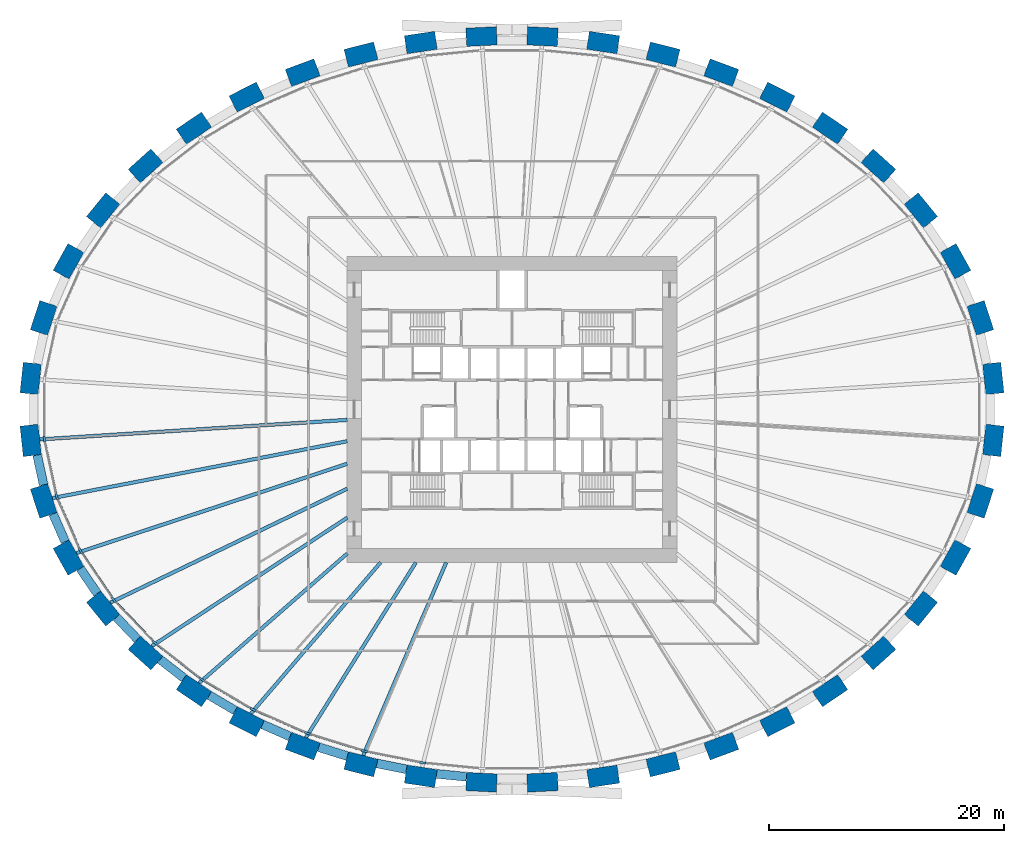
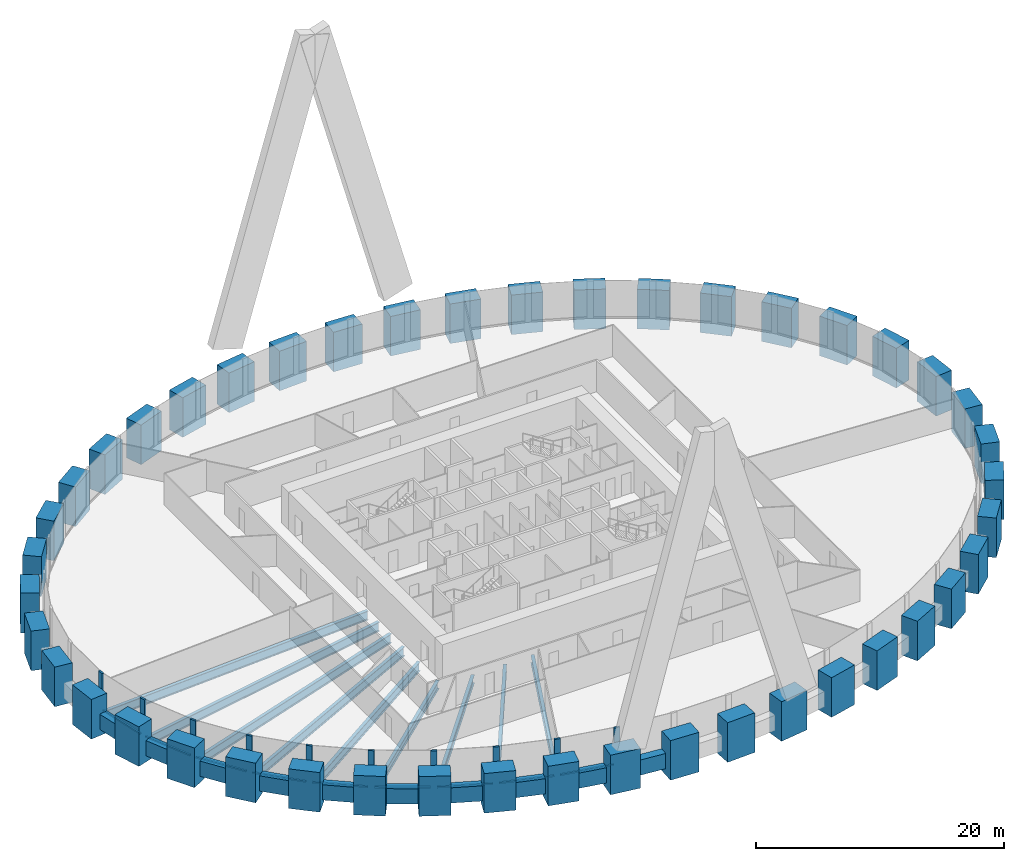
# One storey, part 1 of 10: 44 columns, 19 beams, 19 members, 1 element without a shape of its own.
"""IFC4 building model written with IfcOpenShell, lengths in metres."""

from ifc_helpers import new_model, si_unit, direction, frame, origin, origin_2d, place, context, subcontext, project, spatial, rectangle, i_section, extrude, source, transform, mapped, material, material_profile, profile_set, type_object, element, aggregate, save


model = new_model("IFC4")

# Units and contexts
model_context = context("Model", 3, precision=1e-05, world=origin(), true_north=direction((0.0, 1.0)))
body_context = subcontext(model_context, "Body", "Model", "MODEL_VIEW")
ifc_project = project(units=[si_unit("LENGTHUNIT", "METRE"), si_unit("AREAUNIT", "SQUARE_METRE"), si_unit("VOLUMEUNIT", "CUBIC_METRE"), si_unit("PLANEANGLEUNIT", "RADIAN"), si_unit("MASSUNIT", "GRAM", prefix="KILO")], contexts=[model_context])

# Site, building, storey
site_placement = place(None, origin())
site = spatial("IfcSite", under=ifc_project, at=site_placement, CompositionType="ELEMENT")
building_placement = place(site_placement, origin())
building = spatial("IfcBuilding", under=site, at=building_placement, Name="Embergate Tower", CompositionType="ELEMENT")
storey_placement = place(building_placement, frame((0.0, 0.0, 89.300048828125)))
storey = spatial("IfcBuildingStorey", under=building, at=storey_placement, Name="L18", CompositionType="ELEMENT", Elevation=89.300048828125)

# Columns
ifc_material_1 = material(Name="Concrete C70", Category="concrete")
ifc_material_profile_1 = material_profile(ifc_material_1, rectangle(XDim=1.550048828125, YDim=2.60009765625, at=origin_2d()), Name="RC 1550x2600")
ifc_profile_set_1 = profile_set([ifc_material_profile_1], Name="Concrete C70")
column_type = type_object("IfcColumnType", Name="Ring column RC 1550x2600 C70", PredefinedType="COLUMN", material=ifc_profile_set_1)
shared_shape_1 = source(origin(), body_context, "Body", "SweptSolid", [
    extrude(rectangle(XDim=1.550048828125, YDim=2.60009765625, at=origin_2d()), origin(), (0.0, 0.0, 1.0), 3.900146484375),
])
for number, where, z_axis, x_axis, name in (
    (1, (40.89404296875, 2.632080078125, -1.400146484375), (0.0, 0.0, 1.0), (0.99428589498, 0.106749983816, 0.0), "COL-L18-00"),
    (2, (39.7880859375, 7.77294921875, -1.400146484375), (0.0, 0.0, 1.0), (0.950754033697, 0.309946394413, 0.0), "COL-L18-01"),
    (3, (37.679931640625, 12.580078125, -1.400146484375), (0.0, 0.0, 1.0), (0.873491969053, 0.486838556403, 0.0), "COL-L18-02"),
    (4, (34.736083984375, 16.909912109375, -1.400146484375), (0.0, 0.0, 1.0), (0.775914301615, 0.630838328377, 0.0), "COL-L18-03"),
    (5, (31.132080078125, 20.68896484375, -1.400146484375), (0.0, 0.0, 1.0), (0.669208424634, 0.74307475021, 0.0), "COL-L18-04"),
    (6, (27.02392578125, 23.89501953125, -1.400146484375), (0.0, 0.0, 1.0), (0.560393279442, 0.828226643109, 0.0), "COL-L18-05"),
    (7, (22.541015625, 26.531005859375, -1.400146484375), (0.0, 0.0, 1.0), (0.452994952881, 0.891513080478, 0.0), "COL-L18-06"),
    (8, (17.782958984375, 28.612060546875, -1.400146484375), (0.0, 0.0, 1.0), (0.348343015724, 0.93736713373, 0.0), "COL-L18-07"),
    (9, (12.830078125, 30.154052734375, -1.400146484375), (0.0, 0.0, 1.0), (0.246491603437, 0.969144926951, 0.0), "COL-L18-08"),
    (10, (7.7470703125, 31.174072265625, -1.400146484375), (0.0, 0.0, 1.0), (0.146929011949, 0.989147039346, 0.0), "COL-L18-09"),
    (11, (2.591064453125, 31.680908203125, -1.400146484375), (0.0, 0.0, 1.0), (0.048814904854, 0.998807841912, 0.0), "COL-L18-10"),
    (12, (-2.591064453125, 31.680908203125, -1.400146484375), (0.0, 0.0, 1.0), (-0.048814904854, 0.998807841912, 0.0), "COL-L18-11"),
    (13, (-7.7470703125, 31.174072265625, -1.400146484375), (0.0, 0.0, 1.0), (-0.146929011949, 0.989147039346, 0.0), "COL-L18-12"),
    (14, (-12.830078125, 30.154052734375, -1.400146484375), (0.0, 0.0, 1.0), (-0.246491603437, 0.969144926951, 0.0), "COL-L18-13"),
    (15, (-17.782958984375, 28.612060546875, -1.400146484375), (0.0, 0.0, 1.0), (-0.348343015724, 0.93736713373, 0.0), "COL-L18-14"),
    (16, (-22.541015625, 26.531005859375, -1.400146484375), (0.0, 0.0, 1.0), (-0.452994952881, 0.891513080478, 0.0), "COL-L18-15"),
    (17, (-27.02392578125, 23.89501953125, -1.400146484375), (0.0, 0.0, 1.0), (-0.560393279442, 0.828226643109, 0.0), "COL-L18-16"),
    (18, (-31.132080078125, 20.68896484375, -1.400146484375), (0.0, 0.0, 1.0), (-0.669208424634, 0.74307475021, 0.0), "COL-L18-17"),
    (19, (-34.736083984375, 16.909912109375, -1.400146484375), (0.0, 0.0, 1.0), (-0.775914301615, 0.630838328377, 0.0), "COL-L18-18"),
    (20, (-37.679931640625, 12.580078125, -1.400146484375), (0.0, 0.0, 1.0), (-0.873491969053, 0.486838556403, 0.0), "COL-L18-19"),
    (21, (-39.7880859375, 7.77294921875, -1.400146484375), (0.0, 0.0, 1.0), (-0.950754033697, 0.309946394413, 0.0), "COL-L18-20"),
    (22, (-40.89404296875, 2.632080078125, -1.400146484375), (0.0, 0.0, 1.0), (-0.99428589498, 0.106749983816, 0.0), "COL-L18-21"),
    (23, (-40.89404296875, -2.632080078125, -1.400146484375), (0.0, 0.0, 1.0), (-0.99428589498, -0.106749983816, 0.0), "COL-L18-22"),
    (24, (-39.7880859375, -7.77294921875, -1.400146484375), (0.0, 0.0, 1.0), (-0.950754033697, -0.309946394413, 0.0), "COL-L18-23"),
    (25, (-37.679931640625, -12.580078125, -1.400146484375), (0.0, 0.0, 1.0), (-0.873491969053, -0.486838556403, 0.0), "COL-L18-24"),
    (26, (-34.736083984375, -16.909912109375, -1.400146484375), (0.0, 0.0, 1.0), (-0.775914301615, -0.630838328377, 0.0), "COL-L18-25"),
    (27, (-31.132080078125, -20.68896484375, -1.400146484375), (0.0, 0.0, 1.0), (-0.669208424634, -0.74307475021, 0.0), "COL-L18-26"),
    (28, (-27.02392578125, -23.89501953125, -1.400146484375), (0.0, 0.0, 1.0), (-0.560393279442, -0.828226643109, 0.0), "COL-L18-27"),
    (29, (-22.541015625, -26.531005859375, -1.400146484375), (0.0, 0.0, 1.0), (-0.452994952881, -0.891513080478, 0.0), "COL-L18-28"),
    (30, (-17.782958984375, -28.612060546875, -1.400146484375), (0.0, 0.0, 1.0), (-0.348343015724, -0.93736713373, 0.0), "COL-L18-29"),
    (31, (-12.830078125, -30.154052734375, -1.400146484375), (0.0, 0.0, 1.0), (-0.246491603437, -0.969144926951, 0.0), "COL-L18-30"),
    (32, (-7.7470703125, -31.174072265625, -1.400146484375), (0.0, 0.0, 1.0), (-0.146929011949, -0.989147039346, 0.0), "COL-L18-31"),
    (33, (-2.591064453125, -31.680908203125, -1.400146484375), (0.0, 0.0, 1.0), (-0.048814904854, -0.998807841912, 0.0), "COL-L18-32"),
    (34, (2.591064453125, -31.680908203125, -1.400146484375), (0.0, 0.0, 1.0), (0.048814904854, -0.998807841912, 0.0), "COL-L18-33"),
    (35, (7.7470703125, -31.174072265625, -1.400146484375), (0.0, 0.0, 1.0), (0.146929011949, -0.989147039346, 0.0), "COL-L18-34"),
    (36, (12.830078125, -30.154052734375, -1.400146484375), (0.0, 0.0, 1.0), (0.246491603437, -0.969144926951, 0.0), "COL-L18-35"),
    (37, (17.782958984375, -28.612060546875, -1.400146484375), (0.0, 0.0, 1.0), (0.348343015724, -0.93736713373, 0.0), "COL-L18-36"),
    (38, (22.541015625, -26.531005859375, -1.400146484375), (0.0, 0.0, 1.0), (0.452994952881, -0.891513080478, 0.0), "COL-L18-37"),
    (39, (27.02392578125, -23.89501953125, -1.400146484375), (0.0, 0.0, 1.0), (0.560393279442, -0.828226643109, 0.0), "COL-L18-38"),
    (40, (31.132080078125, -20.68896484375, -1.400146484375), (0.0, 0.0, 1.0), (0.669208424634, -0.74307475021, 0.0), "COL-L18-39"),
    (41, (34.736083984375, -16.909912109375, -1.400146484375), (0.0, 0.0, 1.0), (0.775914301615, -0.630838328377, 0.0), "COL-L18-40"),
    (42, (37.679931640625, -12.580078125, -1.400146484375), (0.0, 0.0, 1.0), (0.873491969053, -0.486838556403, 0.0), "COL-L18-41"),
    (43, (39.7880859375, -7.77294921875, -1.400146484375), (0.0, 0.0, 1.0), (0.950754033697, -0.309946394413, 0.0), "COL-L18-42"),
    (44, (40.89404296875, -2.632080078125, -1.400146484375), (0.0, 0.0, 1.0), (0.99428589498, -0.106749983816, 0.0), "COL-L18-43"),
):
    element("IfcColumn", number, at=place(storey_placement, frame(where, z_axis=z_axis, x_axis=x_axis)), inside=storey, type_object=column_type, Name=name, PredefinedType="COLUMN", context=body_context, shape_type="MappedRepresentation", body=[
        mapped(shared_shape_1, transform((0.0, 0.0, 0.0))),
    ])

# Beams
ifc_material_profile_2 = material_profile(ifc_material_1, rectangle(XDim=0.75, YDim=1.5, at=origin_2d()), Name="RC 750x1500")
ifc_profile_set_2 = profile_set([ifc_material_profile_2], Name="Concrete C70")
beam_type_1 = type_object("IfcBeamType", Name="Spandrel beam RC 750x1500 C70", PredefinedType="BEAM", material=ifc_profile_set_2)
shared_shape_2 = source(origin(), body_context, "Body", "SweptSolid", [
    extrude(rectangle(XDim=0.75, YDim=1.5, at=origin_2d()), origin(), (0.0, 0.0, 1.0), 2.5869140625),
])
beam_1_placement = place(storey_placement, frame((-40.343017578125, -3.8798828125, 0.0), z_axis=(0.210270227171, -0.977643304874, 0.0), x_axis=(0.977643304874, 0.210270227171, 0.0)))
element("IfcBeam", 45, at=beam_1_placement, inside=storey, type_object=beam_type_1, Name="SPN-L18-22", PredefinedType="BEAM", context=body_context, shape_type="MappedRepresentation", body=[
    mapped(shared_shape_2, transform((0.0, 0.0, 0.0))),
])
shared_shape_3 = source(origin(), body_context, "Body", "SweptSolid", [
    extrude(rectangle(XDim=0.75, YDim=1.5, at=origin_2d()), origin(), (0.0, 0.0, 1.0), 2.583251953125),
])
beam_2_placement = place(storey_placement, frame((-38.9990234375, -8.883056640625, 0.0), z_axis=(0.401468201792, -0.915872962233, 0.0), x_axis=(0.915872962233, 0.401468201792, 0.0)))
element("IfcBeam", 46, at=beam_2_placement, inside=storey, type_object=beam_type_1, Name="SPN-L18-23", PredefinedType="BEAM", context=body_context, shape_type="MappedRepresentation", body=[
    mapped(shared_shape_3, transform((0.0, 0.0, 0.0))),
])
shared_shape_4 = source(origin(), body_context, "Body", "SweptSolid", [
    extrude(rectangle(XDim=0.75, YDim=1.5, at=origin_2d()), origin(), (0.0, 0.0, 1.0), 2.574951171875),
])
beam_3_placement = place(storey_placement, frame((-36.68603515625, -13.513916015625, 0.0), z_axis=(0.562356702599, -0.826894756932, 0.0), x_axis=(0.826894756932, 0.562356702599, 0.0)))
element("IfcBeam", 47, at=beam_3_placement, inside=storey, type_object=beam_type_1, Name="SPN-L18-24", PredefinedType="BEAM", context=body_context, shape_type="MappedRepresentation", body=[
    mapped(shared_shape_4, transform((0.0, 0.0, 0.0))),
])
shared_shape_5 = source(origin(), body_context, "Body", "SweptSolid", [
    extrude(rectangle(XDim=0.75, YDim=1.5, at=origin_2d()), origin(), (0.0, 0.0, 1.0), 2.568115234375),
])
beam_4_placement = place(storey_placement, frame((-33.60400390625, -17.6650390625, 0.0), z_axis=(0.68998268655, -0.723825871506, 0.0), x_axis=(0.723825871506, 0.68998268655, 0.0)))
element("IfcBeam", 48, at=beam_4_placement, inside=storey, type_object=beam_type_1, Name="SPN-L18-25", PredefinedType="BEAM", context=body_context, shape_type="MappedRepresentation", body=[
    mapped(shared_shape_5, transform((0.0, 0.0, 0.0))),
])
shared_shape_6 = source(origin(), body_context, "Body", "SweptSolid", [
    extrude(rectangle(XDim=0.75, YDim=1.5, at=origin_2d()), origin(), (0.0, 0.0, 1.0), 2.560791015625),
])
beam_5_placement = place(storey_placement, frame((-29.89111328125, -21.25390625, 0.0), z_axis=(0.788437573921, -0.615114779557, 0.0), x_axis=(0.615114779557, 0.788437573921, 0.0)))
element("IfcBeam", 49, at=beam_5_placement, inside=storey, type_object=beam_type_1, Name="SPN-L18-26", PredefinedType="BEAM", context=body_context, shape_type="MappedRepresentation", body=[
    mapped(shared_shape_6, transform((0.0, 0.0, 0.0))),
])
shared_shape_7 = source(origin(), body_context, "Body", "SweptSolid", [
    extrude(rectangle(XDim=0.75, YDim=1.5, at=origin_2d()), origin(), (0.0, 0.0, 1.0), 2.55517578125),
])
beam_6_placement = place(storey_placement, frame((-25.721923828125, -24.291015625, 0.0), z_axis=(0.862086455961, -0.506761228241, 0.0), x_axis=(0.506761228241, 0.862086455961, 0.0)))
element("IfcBeam", 50, at=beam_6_placement, inside=storey, type_object=beam_type_1, Name="SPN-L18-27", PredefinedType="BEAM", context=body_context, shape_type="MappedRepresentation", body=[
    mapped(shared_shape_7, transform((0.0, 0.0, 0.0))),
])
shared_shape_8 = source(origin(), body_context, "Body", "SweptSolid", [
    extrude(rectangle(XDim=0.75, YDim=1.5, at=origin_2d()), origin(), (0.0, 0.0, 1.0), 2.552001953125),
])
beam_7_placement = place(storey_placement, frame((-21.202880859375, -26.76806640625, 0.0), z_axis=(0.916139768309, -0.400858983836, 0.0), x_axis=(0.400858983836, 0.916139768309, 0.0)))
element("IfcBeam", 51, at=beam_7_placement, inside=storey, type_object=beam_type_1, Name="SPN-L18-28", PredefinedType="BEAM", context=body_context, shape_type="MappedRepresentation", body=[
    mapped(shared_shape_8, transform((0.0, 0.0, 0.0))),
])
shared_shape_9 = source(origin(), body_context, "Body", "SweptSolid", [
    extrude(rectangle(XDim=0.75, YDim=1.5, at=origin_2d()), origin(), (0.0, 0.0, 1.0), 2.55029296875),
])
beam_8_placement = place(storey_placement, frame((-16.428955078125, -28.699951171875, 0.0), z_axis=(0.954803055826, -0.297239170678, 0.0), x_axis=(0.297239170678, 0.954803055826, 0.0)))
element("IfcBeam", 52, at=beam_8_placement, inside=storey, type_object=beam_type_1, Name="SPN-L18-29", PredefinedType="BEAM", context=body_context, shape_type="MappedRepresentation", body=[
    mapped(shared_shape_9, transform((0.0, 0.0, 0.0))),
])
shared_shape_10 = source(origin(), body_context, "Body", "SweptSolid", [
    extrude(rectangle(XDim=0.75, YDim=1.5, at=origin_2d()), origin(), (0.0, 0.0, 1.0), 2.546875),
])
beam_9_placement = place(storey_placement, frame((-11.469970703125, -30.0810546875, 0.0), z_axis=(0.980462515934, -0.196706011214, 0.0), x_axis=(0.196706011214, 0.980462515934, 0.0)))
element("IfcBeam", 53, at=beam_9_placement, inside=storey, type_object=beam_type_1, Name="SPN-L18-30", PredefinedType="BEAM", context=body_context, shape_type="MappedRepresentation", body=[
    mapped(shared_shape_10, transform((0.0, 0.0, 0.0))),
])
shared_shape_11 = source(origin(), body_context, "Body", "SweptSolid", [
    extrude(rectangle(XDim=0.75, YDim=1.5, at=origin_2d()), origin(), (0.0, 0.0, 1.0), 2.544189453125),
])
beam_10_placement = place(storey_placement, frame((-6.402099609375, -30.966064453125, 0.0), z_axis=(0.995198330328, -0.097878921698, 0.0), x_axis=(0.097878921698, 0.995198330328, 0.0)))
element("IfcBeam", 54, at=beam_10_placement, inside=storey, type_object=beam_type_1, Name="SPN-L18-31", PredefinedType="BEAM", context=body_context, shape_type="MappedRepresentation", body=[
    mapped(shared_shape_11, transform((0.0, 0.0, 0.0))),
])
ifc_material_2 = material(Name="Steel Q355B", Category="steel")
ifc_material_profile_3 = material_profile(ifc_material_2, i_section(OverallWidth=0.300048828125, OverallDepth=0.89990234375, WebThickness=0.01611328125, FlangeThickness=0.028076171875, FilletRadius=0.028076171875, at=origin_2d()), Name="HN 900x300x16x28")
ifc_profile_set_3 = profile_set([ifc_material_profile_3], Name="Steel Q355 grade B")
beam_type_2 = type_object("IfcBeamType", Name="Radial girder HN 900x300x16x28", PredefinedType="BEAM", material=ifc_profile_set_3)
shared_shape_12 = source(origin(), body_context, "Body", "SweptSolid", [
    extrude(i_section(OverallWidth=0.300048828125, OverallDepth=0.89990234375, WebThickness=0.01611328125, FlangeThickness=0.028076171875, FilletRadius=0.028076171875, at=origin_2d()), origin(), (0.0, 0.0, 1.0), 26.17578125),
])
beam_11_placement = place(storey_placement, frame((-40.123046875, -2.549072265625, -0.650146484375), z_axis=(0.997989066798, 0.063386296243, 0.0), x_axis=(-0.063386296243, 0.997989066798, 0.0)))
element("IfcBeam", 55, at=beam_11_placement, inside=storey, type_object=beam_type_2, Name="GIR-L18-22", PredefinedType="BEAM", context=body_context, shape_type="MappedRepresentation", body=[
    mapped(shared_shape_12, transform((0.0, 0.0, 0.0))),
])
shared_shape_13 = source(origin(), body_context, "Body", "SweptSolid", [
    extrude(i_section(OverallWidth=0.300048828125, OverallDepth=0.89990234375, WebThickness=0.01611328125, FlangeThickness=0.028076171875, FilletRadius=0.028076171875, at=origin_2d()), origin(), (0.0, 0.0, 1.0), 25.5126953125),
])
beam_12_placement = place(storey_placement, frame((-39.051025390625, -7.532958984375, -0.650146484375), z_axis=(0.981900703084, 0.189396434187, 0.0), x_axis=(-0.189396434187, 0.981900703084, 0.0)))
element("IfcBeam", 56, at=beam_12_placement, inside=storey, type_object=beam_type_2, Name="GIR-L18-23", PredefinedType="BEAM", context=body_context, shape_type="MappedRepresentation", body=[
    mapped(shared_shape_13, transform((0.0, 0.0, 0.0))),
])
shared_shape_14 = source(origin(), body_context, "Body", "SweptSolid", [
    extrude(i_section(OverallWidth=0.300048828125, OverallDepth=0.89990234375, WebThickness=0.01611328125, FlangeThickness=0.028076171875, FilletRadius=0.028076171875, at=origin_2d()), origin(), (0.0, 0.0, 1.0), 24.221435546875),
])
beam_13_placement = place(storey_placement, frame((-37.0029296875, -12.202880859375, -0.650146484375), z_axis=(0.949690422, 0.313190201575, 0.0), x_axis=(-0.313190201575, 0.949690422, 0.0)))
element("IfcBeam", 57, at=beam_13_placement, inside=storey, type_object=beam_type_2, Name="GIR-L18-24", PredefinedType="BEAM", context=body_context, shape_type="MappedRepresentation", body=[
    mapped(shared_shape_14, transform((0.0, 0.0, 0.0))),
])
shared_shape_15 = source(origin(), body_context, "Body", "SweptSolid", [
    extrude(i_section(OverallWidth=0.300048828125, OverallDepth=0.89990234375, WebThickness=0.01611328125, FlangeThickness=0.028076171875, FilletRadius=0.028076171875, at=origin_2d()), origin(), (0.0, 0.0, 1.0), 22.343505859375),
])
beam_14_placement = place(storey_placement, frame((-34.135009765625, -16.4208984375, -0.650146484375), z_axis=(0.901156313857, 0.433494288308, 0.0), x_axis=(-0.433494288308, 0.901156313857, 0.0)))
element("IfcBeam", 58, at=beam_14_placement, inside=storey, type_object=beam_type_2, Name="GIR-L18-25", PredefinedType="BEAM", context=body_context, shape_type="MappedRepresentation", body=[
    mapped(shared_shape_15, transform((0.0, 0.0, 0.0))),
])
shared_shape_16 = source(origin(), body_context, "Body", "SweptSolid", [
    extrude(i_section(OverallWidth=0.300048828125, OverallDepth=0.89990234375, WebThickness=0.01611328125, FlangeThickness=0.028076171875, FilletRadius=0.028076171875, at=origin_2d()), origin(), (0.0, 0.0, 1.0), 19.8779296875),
])
beam_15_placement = place(storey_placement, frame((-30.613037109375, -20.113037109375, -0.650146484375), z_axis=(0.835753953274, 0.549104115434, 0.0), x_axis=(-0.549104115434, 0.835753953274, 0.0)))
element("IfcBeam", 59, at=beam_15_placement, inside=storey, type_object=beam_type_2, Name="GIR-L18-26", PredefinedType="BEAM", context=body_context, shape_type="MappedRepresentation", body=[
    mapped(shared_shape_16, transform((0.0, 0.0, 0.0))),
])
ifc_material_profile_4 = material_profile(ifc_material_2, i_section(OverallWidth=0.300048828125, OverallDepth=0.800048828125, WebThickness=0.013916015625, FlangeThickness=0.02587890625, FilletRadius=0.028076171875, at=origin_2d()), Name="HN 800x300x14x26")
ifc_profile_set_4 = profile_set([ifc_material_profile_4], Name="Steel Q355 grade B")
beam_type_3 = type_object("IfcBeamType", Name="Radial girder HN 800x300x14x26", PredefinedType="BEAM", material=ifc_profile_set_4)
shared_shape_17 = source(origin(), body_context, "Body", "SweptSolid", [
    extrude(i_section(OverallWidth=0.300048828125, OverallDepth=0.800048828125, WebThickness=0.013916015625, FlangeThickness=0.02587890625, FilletRadius=0.028076171875, at=origin_2d()), origin(), (0.0, 0.0, 1.0), 16.72509765625),
])
beam_16_placement = place(storey_placement, frame((-26.590087890625, -23.2529296875, -0.60009765625), z_axis=(0.752763844536, 0.658290660999, 0.0), x_axis=(-0.658290660999, 0.752763844536, 0.0)))
element("IfcBeam", 60, at=beam_16_placement, inside=storey, type_object=beam_type_3, Name="GIR-L18-27", PredefinedType="BEAM", context=body_context, shape_type="MappedRepresentation", body=[
    mapped(shared_shape_17, transform((0.0, 0.0, 0.0))),
])
shared_shape_18 = source(origin(), body_context, "Body", "SweptSolid", [
    extrude(i_section(OverallWidth=0.300048828125, OverallDepth=0.800048828125, WebThickness=0.013916015625, FlangeThickness=0.02587890625, FilletRadius=0.028076171875, at=origin_2d()), origin(), (0.0, 0.0, 1.0), 16.924560546875),
])
beam_17_placement = place(storey_placement, frame((-22.18994140625, -25.840087890625, -0.60009765625), z_axis=(0.651475377488, 0.758669778314, 0.0), x_axis=(-0.758669778314, 0.651475377488, 0.0)))
element("IfcBeam", 61, at=beam_17_placement, inside=storey, type_object=beam_type_3, Name="GIR-L18-28", PredefinedType="BEAM", context=body_context, shape_type="MappedRepresentation", body=[
    mapped(shared_shape_18, transform((0.0, 0.0, 0.0))),
])
shared_shape_19 = source(origin(), body_context, "Body", "SweptSolid", [
    extrude(i_section(OverallWidth=0.300048828125, OverallDepth=0.800048828125, WebThickness=0.013916015625, FlangeThickness=0.02587890625, FilletRadius=0.028076171875, at=origin_2d()), origin(), (0.0, 0.0, 1.0), 17.578125),
])
beam_18_placement = place(storey_placement, frame((-17.512939453125, -27.885986328125, -0.60009765625), z_axis=(0.53184411478, 0.846842274319, 0.0), x_axis=(-0.846842274319, 0.53184411478, 0.0)))
element("IfcBeam", 62, at=beam_18_placement, inside=storey, type_object=beam_type_3, Name="GIR-L18-29", PredefinedType="BEAM", context=body_context, shape_type="MappedRepresentation", body=[
    mapped(shared_shape_19, transform((0.0, 0.0, 0.0))),
])
shared_shape_20 = source(origin(), body_context, "Body", "SweptSolid", [
    extrude(i_section(OverallWidth=0.300048828125, OverallDepth=0.800048828125, WebThickness=0.013916015625, FlangeThickness=0.02587890625, FilletRadius=0.028076171875, at=origin_2d()), origin(), (0.0, 0.0, 1.0), 17.854248046875),
])
beam_19_placement = place(storey_placement, frame((-12.638916015625, -29.403076171875, -0.60009765625), z_axis=(0.394919154383, 0.918715876374, 0.0), x_axis=(-0.918715876374, 0.394919154383, 0.0)))
element("IfcBeam", 63, at=beam_19_placement, inside=storey, type_object=beam_type_3, Name="GIR-L18-30", PredefinedType="BEAM", context=body_context, shape_type="MappedRepresentation", body=[
    mapped(shared_shape_20, transform((0.0, 0.0, 0.0))),
])

# Curtain wall, members
ifc_material_3 = material(Name="Aluminium and glass", Category="aluminium")
curtain_wall_type = type_object("IfcCurtainWallType", Name="Recessed office glazing", PredefinedType="NOTDEFINED", material=ifc_material_3)
curtain_wall_placement = place(storey_placement, origin())
curtain_wall = element("IfcCurtainWall", 64, at=curtain_wall_placement, inside=storey, type_object=curtain_wall_type, Name="Recessed office glazing ring", ObjectType="RECESSED OFFICE GLAZING", PredefinedType="USERDEFINED")
ifc_material_4 = material(Name="Aluminium, thermally broken", Category="aluminium")
ifc_material_profile_5 = material_profile(ifc_material_4, rectangle(XDim=0.179931640625, YDim=0.52001953125, at=origin_2d()), Name="AL 520x180")
ifc_profile_set_5 = profile_set([ifc_material_profile_5], Name="Aluminium, thermally broken")
member_type_1 = type_object("IfcMemberType", Name="Office mullion", PredefinedType="MULLION", material=ifc_profile_set_5)
shared_shape_21 = source(origin(), body_context, "Body", "SweptSolid", [
    extrude(rectangle(XDim=0.179931640625, YDim=0.52001953125, at=origin_2d()), origin(), (0.0, 0.0, 1.0), 3.699951171875),
])
member_1_placement = place(storey_placement, frame((-39.735595703125, -2.507080078125, 0.0), z_axis=(0.0, 0.0, 1.0), x_axis=(0.994385139431, 0.105821521816, 0.0)))
member_1 = element("IfcMember", 65, at=member_1_placement, type_object=member_type_1, Name="CW mullion 23", PredefinedType="MULLION", context=body_context, shape_type="MappedRepresentation", body=[
    mapped(shared_shape_21, transform((0.0, 0.0, 0.0))),
])
member_2_placement = place(storey_placement, frame((-38.68017578125, -7.412109375, 0.0), z_axis=(0.0, 0.0, 1.0), x_axis=(0.95149940886, 0.307650572791, 0.0)))
member_2 = element("IfcMember", 66, at=member_2_placement, type_object=member_type_1, Name="CW mullion 24", PredefinedType="MULLION", context=body_context, shape_type="MappedRepresentation", body=[
    mapped(shared_shape_21, transform((0.0, 0.0, 0.0))),
])
member_3_placement = place(storey_placement, frame((-36.662109375, -12.012939453125, 0.0), z_axis=(0.0, 0.0, 1.0), x_axis=(0.875005275602, 0.484113383071, 0.0)))
member_3 = element("IfcMember", 67, at=member_3_placement, type_object=member_type_1, Name="CW mullion 25", PredefinedType="MULLION", context=body_context, shape_type="MappedRepresentation", body=[
    mapped(shared_shape_21, transform((0.0, 0.0, 0.0))),
])
member_4_placement = place(storey_placement, frame((-33.831787109375, -16.1748046875, 0.0), z_axis=(0.0, 0.0, 1.0), x_axis=(0.777875854755, 0.628417977615, 0.0)))
member_4 = element("IfcMember", 68, at=member_4_placement, type_object=member_type_1, Name="CW mullion 26", PredefinedType="MULLION", context=body_context, shape_type="MappedRepresentation", body=[
    mapped(shared_shape_21, transform((0.0, 0.0, 0.0))),
])
member_5_placement = place(storey_placement, frame((-30.352294921875, -19.823486328125, 0.0), z_axis=(0.0, 0.0, 1.0), x_axis=(0.671229121411, 0.741249935292, 0.0)))
member_5 = element("IfcMember", 69, at=member_5_placement, type_object=member_type_1, Name="CW mullion 27", PredefinedType="MULLION", context=body_context, shape_type="MappedRepresentation", body=[
    mapped(shared_shape_21, transform((0.0, 0.0, 0.0))),
])
member_6_placement = place(storey_placement, frame((-26.37158203125, -22.930419921875, 0.0), z_axis=(0.0, 0.0, 1.0), x_axis=(0.562217618544, 0.826989328467, 0.0)))
member_6 = element("IfcMember", 70, at=member_6_placement, type_object=member_type_1, Name="CW mullion 28", PredefinedType="MULLION", context=body_context, shape_type="MappedRepresentation", body=[
    mapped(shared_shape_21, transform((0.0, 0.0, 0.0))),
])
member_7_placement = place(storey_placement, frame((-22.013427734375, -25.49267578125, 0.0), z_axis=(0.0, 0.0, 1.0), x_axis=(0.454511380526, 0.890740930334, 0.0)))
member_7 = element("IfcMember", 71, at=member_7_placement, type_object=member_type_1, Name="CW mullion 29", PredefinedType="MULLION", context=body_context, shape_type="MappedRepresentation", body=[
    mapped(shared_shape_21, transform((0.0, 0.0, 0.0))),
])
member_8_placement = place(storey_placement, frame((-17.377197265625, -27.519775390625, 0.0), z_axis=(0.0, 0.0, 1.0), x_axis=(0.349502682851, 0.936935363128, 0.0)))
member_8 = element("IfcMember", 72, at=member_8_placement, type_object=member_type_1, Name="CW mullion 30", PredefinedType="MULLION", context=body_context, shape_type="MappedRepresentation", body=[
    mapped(shared_shape_21, transform((0.0, 0.0, 0.0))),
])
member_9_placement = place(storey_placement, frame((-12.54296875, -29.025390625, 0.0), z_axis=(0.0, 0.0, 1.0), x_axis=(0.24731188137, 0.968935928394, 0.0)))
member_9 = element("IfcMember", 73, at=member_9_placement, type_object=member_type_1, Name="CW mullion 31", PredefinedType="MULLION", context=body_context, shape_type="MappedRepresentation", body=[
    mapped(shared_shape_21, transform((0.0, 0.0, 0.0))),
])
member_10_placement = place(storey_placement, frame((-7.576171875, -30.021484375, 0.0), z_axis=(0.0, 0.0, 1.0), x_axis=(0.147412382818, 0.989075118174, 0.0)))
member_10 = element("IfcMember", 74, at=member_10_placement, type_object=member_type_1, Name="CW mullion 32", PredefinedType="MULLION", context=body_context, shape_type="MappedRepresentation", body=[
    mapped(shared_shape_21, transform((0.0, 0.0, 0.0))),
])
ifc_material_profile_6 = material_profile(ifc_material_4, rectangle(XDim=0.179931640625, YDim=0.14990234375, at=origin_2d()), Name="AL 150x180")
ifc_profile_set_6 = profile_set([ifc_material_profile_6], Name="Aluminium, thermally broken")
member_type_2 = type_object("IfcMemberType", Name="Office sill transom", PredefinedType="USERDEFINED", material=ifc_profile_set_6)
shared_shape_22 = source(origin(), body_context, "Body", "SweptSolid", [
    extrude(rectangle(XDim=0.179931640625, YDim=0.14990234375, at=origin_2d()), origin(), (0.0, 0.0, 1.0), 4.529296875),
])
member_11_placement = place(storey_placement, frame((-30.147216796875, -19.983642578125, 0.074951171875), z_axis=(0.788306218653, -0.615283110148, 0.0), x_axis=(0.615283110148, 0.788306218653, 0.0)))
member_11 = element("IfcMember", 75, at=member_11_placement, type_object=member_type_2, Name="CW transom 27.1", ObjectType="TRANSOM", PredefinedType="USERDEFINED", context=body_context, shape_type="MappedRepresentation", body=[
    mapped(shared_shape_22, transform((0.0, 0.0, 0.0))),
])
shared_shape_23 = source(origin(), body_context, "Body", "SweptSolid", [
    extrude(rectangle(XDim=0.179931640625, YDim=0.14990234375, at=origin_2d()), origin(), (0.0, 0.0, 1.0), 4.496826171875),
])
member_12_placement = place(storey_placement, frame((-39.680908203125, -2.761474609375, 0.074951171875), z_axis=(0.210378069806, -0.977620104, 0.0), x_axis=(0.977620104, 0.210378069806, 0.0)))
member_12 = element("IfcMember", 76, at=member_12_placement, type_object=member_type_2, Name="CW transom 23.1", ObjectType="TRANSOM", PredefinedType="USERDEFINED", context=body_context, shape_type="MappedRepresentation", body=[
    mapped(shared_shape_23, transform((0.0, 0.0, 0.0))),
])
shared_shape_24 = source(origin(), body_context, "Body", "SweptSolid", [
    extrude(rectangle(XDim=0.179931640625, YDim=0.14990234375, at=origin_2d()), origin(), (0.0, 0.0, 1.0), 4.504150390625),
])
member_13_placement = place(storey_placement, frame((-38.57568359375, -7.650146484375, 0.074951171875), z_axis=(0.401657507377, -0.915789957778, 0.0), x_axis=(0.915789957778, 0.401657507377, 0.0)))
member_13 = element("IfcMember", 77, at=member_13_placement, type_object=member_type_2, Name="CW transom 24.1", ObjectType="TRANSOM", PredefinedType="USERDEFINED", context=body_context, shape_type="MappedRepresentation", body=[
    mapped(shared_shape_24, transform((0.0, 0.0, 0.0))),
])
shared_shape_25 = source(origin(), body_context, "Body", "SweptSolid", [
    extrude(rectangle(XDim=0.179931640625, YDim=0.14990234375, at=origin_2d()), origin(), (0.0, 0.0, 1.0), 4.51318359375),
])
member_14_placement = place(storey_placement, frame((-36.515869140625, -12.22802734375, 0.074951171875), z_axis=(0.562329256749, -0.82691342171, 0.0), x_axis=(0.82691342171, 0.562329256749, 0.0)))
member_14 = element("IfcMember", 78, at=member_14_placement, type_object=member_type_2, Name="CW transom 25.1", ObjectType="TRANSOM", PredefinedType="USERDEFINED", context=body_context, shape_type="MappedRepresentation", body=[
    mapped(shared_shape_25, transform((0.0, 0.0, 0.0))),
])
shared_shape_26 = source(origin(), body_context, "Body", "SweptSolid", [
    extrude(rectangle(XDim=0.179931640625, YDim=0.14990234375, at=origin_2d()), origin(), (0.0, 0.0, 1.0), 4.52197265625),
])
member_15_placement = place(storey_placement, frame((-33.65234375, -16.363037109375, 0.074951171875), z_axis=(0.690144384651, -0.723671699277, 0.0), x_axis=(0.723671699277, 0.690144384651, 0.0)))
member_15 = element("IfcMember", 79, at=member_15_placement, type_object=member_type_2, Name="CW transom 26.1", ObjectType="TRANSOM", PredefinedType="USERDEFINED", context=body_context, shape_type="MappedRepresentation", body=[
    mapped(shared_shape_26, transform((0.0, 0.0, 0.0))),
])
shared_shape_27 = source(origin(), body_context, "Body", "SweptSolid", [
    extrude(rectangle(XDim=0.179931640625, YDim=0.14990234375, at=origin_2d()), origin(), (0.0, 0.0, 1.0), 4.535400390625),
])
member_16_placement = place(storey_placement, frame((-26.1474609375, -23.06201171875, 0.074951171875), z_axis=(0.862028298447, -0.506860151004, 0.0), x_axis=(0.506860151004, 0.862028298447, 0.0)))
member_16 = element("IfcMember", 80, at=member_16_placement, type_object=member_type_2, Name="CW transom 28.1", ObjectType="TRANSOM", PredefinedType="USERDEFINED", context=body_context, shape_type="MappedRepresentation", body=[
    mapped(shared_shape_27, transform((0.0, 0.0, 0.0))),
])
shared_shape_28 = source(origin(), body_context, "Body", "SweptSolid", [
    extrude(rectangle(XDim=0.179931640625, YDim=0.14990234375, at=origin_2d()), origin(), (0.0, 0.0, 1.0), 4.540283203125),
])
member_17_placement = place(storey_placement, frame((-21.775390625, -25.5966796875, 0.074951171875), z_axis=(0.91622766565, -0.400658039601, 0.0), x_axis=(0.400658039601, 0.91622766565, 0.0)))
member_17 = element("IfcMember", 81, at=member_17_placement, type_object=member_type_2, Name="CW transom 29.1", ObjectType="TRANSOM", PredefinedType="USERDEFINED", context=body_context, shape_type="MappedRepresentation", body=[
    mapped(shared_shape_28, transform((0.0, 0.0, 0.0))),
])
shared_shape_29 = source(origin(), body_context, "Body", "SweptSolid", [
    extrude(rectangle(XDim=0.179931640625, YDim=0.14990234375, at=origin_2d()), origin(), (0.0, 0.0, 1.0), 4.54345703125),
])
member_18_placement = place(storey_placement, frame((-17.129150390625, -27.59716796875, 0.074951171875), z_axis=(0.954777820435, -0.297320220648, 0.0), x_axis=(0.297320220648, 0.954777820435, 0.0)))
member_18 = element("IfcMember", 82, at=member_18_placement, type_object=member_type_2, Name="CW transom 30.1", ObjectType="TRANSOM", PredefinedType="USERDEFINED", context=body_context, shape_type="MappedRepresentation", body=[
    mapped(shared_shape_29, transform((0.0, 0.0, 0.0))),
])
shared_shape_30 = source(origin(), body_context, "Body", "SweptSolid", [
    extrude(rectangle(XDim=0.179931640625, YDim=0.14990234375, at=origin_2d()), origin(), (0.0, 0.0, 1.0), 4.54541015625),
])
member_19_placement = place(storey_placement, frame((-12.2880859375, -29.076416015625, 0.074951171875), z_axis=(0.980477251105, -0.196632550879, 0.0), x_axis=(0.196632550879, 0.980477251105, 0.0)))
member_19 = element("IfcMember", 83, at=member_19_placement, type_object=member_type_2, Name="CW transom 31.1", ObjectType="TRANSOM", PredefinedType="USERDEFINED", context=body_context, shape_type="MappedRepresentation", body=[
    mapped(shared_shape_30, transform((0.0, 0.0, 0.0))),
])
aggregate(curtain_wall, [member_1, member_2, member_3, member_4, member_5, member_6, member_7, member_8, member_9, member_10, member_12, member_13, member_14, member_15, member_11, member_16, member_17, member_18, member_19])

save(model, "model.ifc")
